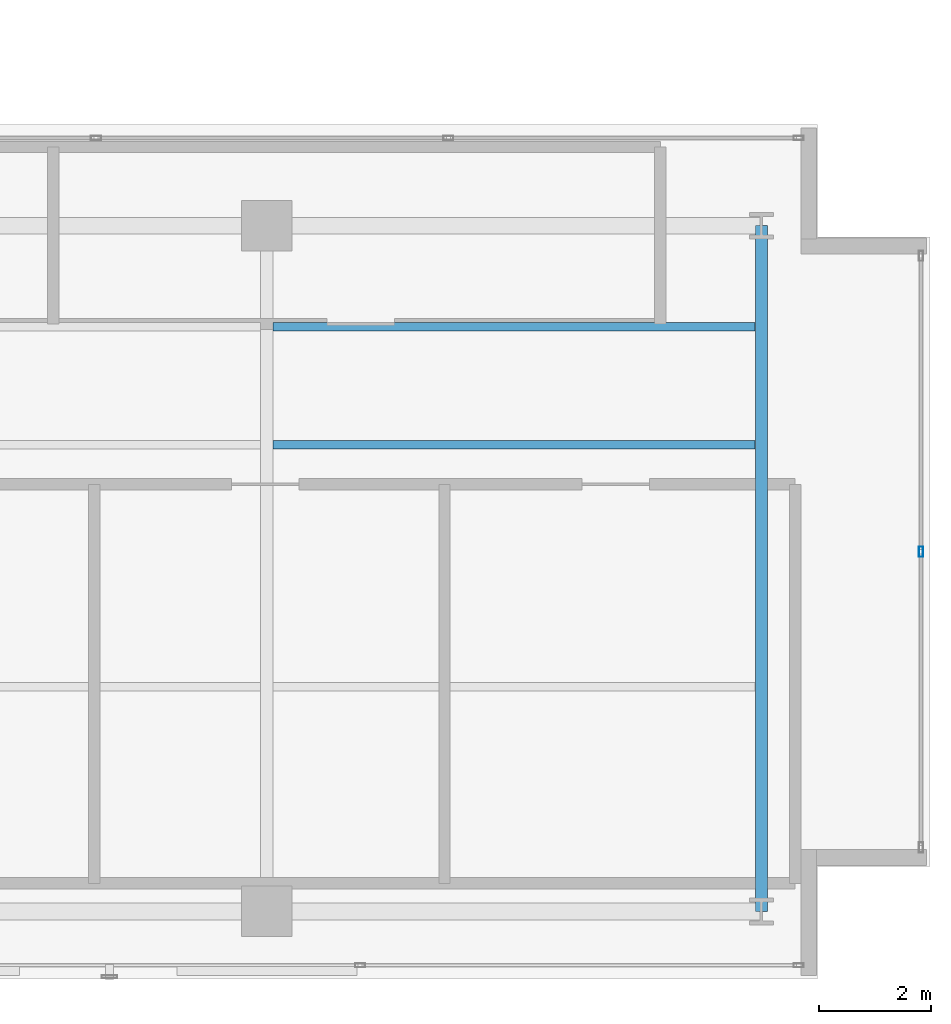
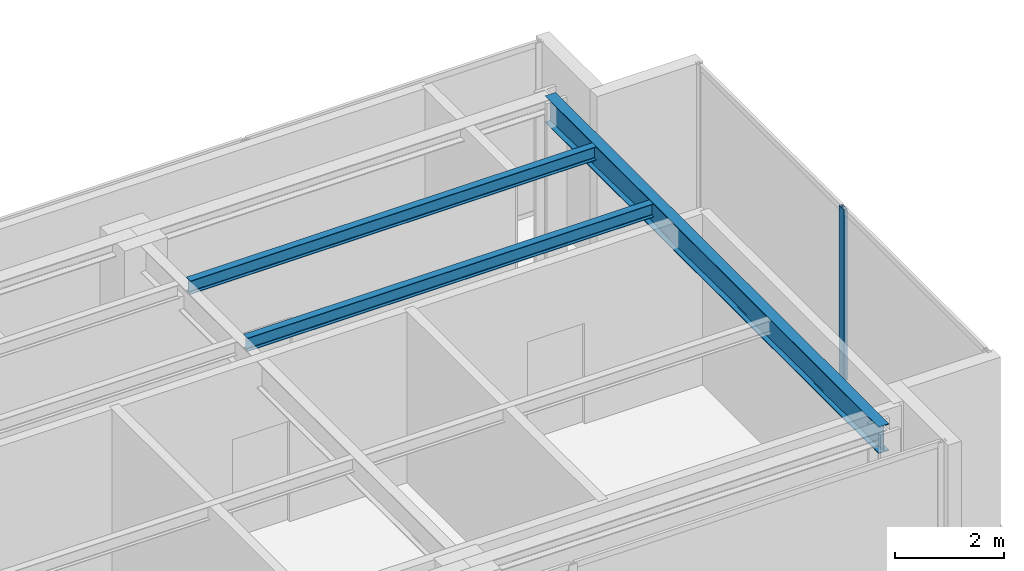
# One storey, part 14 of 24: 3 beams, 1 member, 1 element without a shape of its own.
"""IFC4 building model written with IfcOpenShell, lengths in metres."""

from ifc_helpers import new_model, si_unit, direction, frame, origin, origin_with_axes, origin_2d, place, context, subcontext, project, spatial, hollow_rectangle, i_section, extrude, source, transform, mapped, material, layer, layer_set, material_profile, profile_set, type_object, element, aggregate, save


model = new_model("IFC4")

# Units and contexts
model_context = context("Model", 3, precision=1e-05, world=origin(), true_north=direction((0.0, 1.0)))
body_context = subcontext(model_context, "Body", "Model", "MODEL_VIEW")
ifc_project = project(units=[si_unit("LENGTHUNIT", "METRE"), si_unit("AREAUNIT", "SQUARE_METRE"), si_unit("VOLUMEUNIT", "CUBIC_METRE"), si_unit("PLANEANGLEUNIT", "RADIAN"), si_unit("MASSUNIT", "GRAM", prefix="KILO")], contexts=[model_context])

# Site, building, storey
site_placement = place(None, origin())
site = spatial("IfcSite", under=ifc_project, at=site_placement, CompositionType="ELEMENT")
building_placement = place(site_placement, origin())
building = spatial("IfcBuilding", under=site, at=building_placement, Name="Kolvaren Waterfront Exchange", CompositionType="ELEMENT")
storey_placement = place(building_placement, frame((0.0, 0.0, 356.199951171875)))
storey = spatial("IfcBuildingStorey", under=building, at=storey_placement, Name="L91", CompositionType="ELEMENT", Elevation=356.199951171875)

# Beams
ifc_material_1 = material(Name="Steel S355", Category="steel")
ifc_material_profile_1 = material_profile(ifc_material_1, i_section(OverallWidth=0.14990234375, OverallDepth=0.300048828125, WebThickness=0.007080078125, FlangeThickness=0.0107421875, FilletRadius=0.014892578125, at=origin_2d()), Name="IPE300")
ifc_profile_set_1 = profile_set([ifc_material_profile_1], Name="Steel S355")
beam_type_1 = type_object("IfcBeamType", Name="STR-BM-IPE300", PredefinedType="JOIST", material=ifc_profile_set_1)
for number, where, z_axis, x_axis, name in (
    (1, (36.912109375, 13.5, 3.670166015625), (1.0, 0.0, 0.0), (0.0, 1.0, 0.0), "L91 east-arm composite joist 3A"),
    (2, (36.912109375, 15.60009765625, 3.670166015625), (1.0, 0.0, 0.0), (0.0, 1.0, 0.0), "L91 east-arm composite joist 3C"),
):
    element("IfcBeam", number, at=place(storey_placement, frame(where, z_axis=z_axis, x_axis=x_axis)), inside=storey, type_object=beam_type_1, Name=name, PredefinedType="JOIST", context=body_context, shape_type="SweptSolid", body=[
        extrude(i_section(OverallWidth=0.14990234375, OverallDepth=0.300048828125, WebThickness=0.007080078125, FlangeThickness=0.0107421875, FilletRadius=0.014892578125, at=origin_2d()), origin(), (0.0, 0.0, 1.0), 8.575927734375),
    ])
ifc_material_profile_2 = material_profile(ifc_material_1, i_section(OverallWidth=0.219970703125, OverallDepth=0.60009765625, WebThickness=0.011962890625, FlangeThickness=0.01904296875, FilletRadius=0.02392578125, at=origin_2d()), Name="IPE600")
ifc_profile_set_2 = profile_set([ifc_material_profile_2], Name="Steel S355")
beam_type_2 = type_object("IfcBeamType", Name="STR-BM-IPE600", PredefinedType="BEAM", material=ifc_profile_set_2)
beam_placement = place(storey_placement, frame((45.60009765625, 5.199951171875, 3.52001953125), z_axis=(0.0, 1.0, 0.0), x_axis=(-1.0, 0.0, 0.0)))
element("IfcBeam", 3, at=beam_placement, inside=storey, type_object=beam_type_2, Name="L91 east-arm transverse girder X45", PredefinedType="BEAM", context=body_context, shape_type="SweptSolid", body=[
    extrude(i_section(OverallWidth=0.219970703125, OverallDepth=0.60009765625, WebThickness=0.011962890625, FlangeThickness=0.01904296875, FilletRadius=0.02392578125, at=origin_2d()), origin(), (0.0, 0.0, 1.0), 12.199951171875),
])

# Curtain wall, member
ifc_material_2 = material(Name="Anodised dark bronze spandrel aluminium", Category="aluminium")
ifc_layer = layer(ifc_material_2, 0.219970703125, Name="Anodised dark bronze spandrel aluminium")
ifc_layer_set = layer_set([ifc_layer], Name="Anodised dark bronze spandrel aluminium")
curtain_wall_type = type_object("IfcCurtainWallType", Name="ARC-CW-SYS6", PredefinedType="USERDEFINED", material=ifc_layer_set)
curtain_wall_placement = place(storey_placement, origin())
curtain_wall = element("IfcCurtainWall", 4, at=curtain_wall_placement, inside=storey, type_object=curtain_wall_type, Name="L91 stick curtain wall CW6 (CW-L91-ET)", ObjectType="STICK CURTAIN WALL", PredefinedType="USERDEFINED")
ifc_material_3 = material(Name="Anodised bronze aluminium 6063-T6", Category="aluminium")
ifc_material_profile_3 = material_profile(ifc_material_3, hollow_rectangle(XDim=0.074951171875, YDim=0.179931640625, WallThickness=0.00439453125, at=origin_2d()), Name="ALU-MUL-180x75x4.5")
ifc_profile_set_3 = profile_set([ifc_material_profile_3], Name="Anodised bronze aluminium 6063-T6")
member_type = type_object("IfcMemberType", Name="ARC-CWM-180", PredefinedType="MULLION", material=ifc_profile_set_3)
shared_shape = source(origin_with_axes(), body_context, "Body", "SweptSolid", [
    extrude(hollow_rectangle(XDim=0.074951171875, YDim=0.179931640625, WallThickness=0.00439453125, at=origin_2d()), origin(), (0.0, 0.0, 1.0), 3.820068359375),
])
member_placement = place(storey_placement, frame((48.43994140625, 11.60009765625, 0.0), z_axis=(0.0, 0.0, 1.0), x_axis=(-1.0, 0.0, 0.0)))
member = element("IfcMember", 5, at=member_placement, type_object=member_type, Name="CW6 mullion 2", PredefinedType="MULLION", context=body_context, shape_type="MappedRepresentation", body=[
    mapped(shared_shape, transform((0.0, 0.0, 0.0), x_axis=(1.0, 0.0, 0.0), y_axis=(0.0, 1.0, 0.0), z_axis=(0.0, 0.0, 1.0), scale=1.0)),
])
aggregate(curtain_wall, [member])

save(model, "model.ifc")
